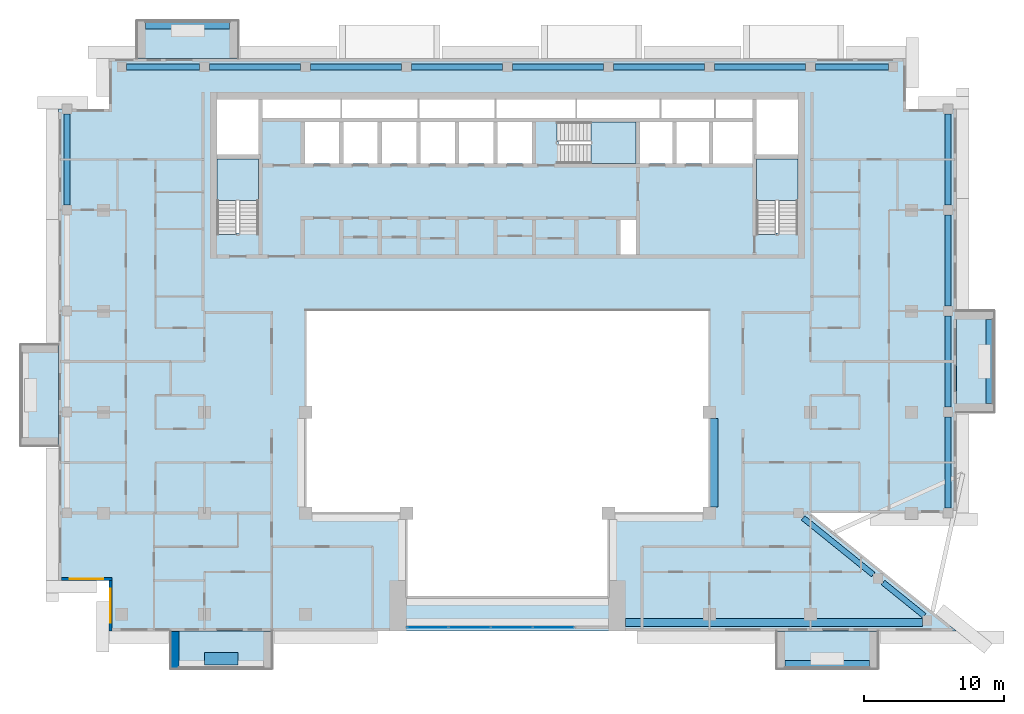
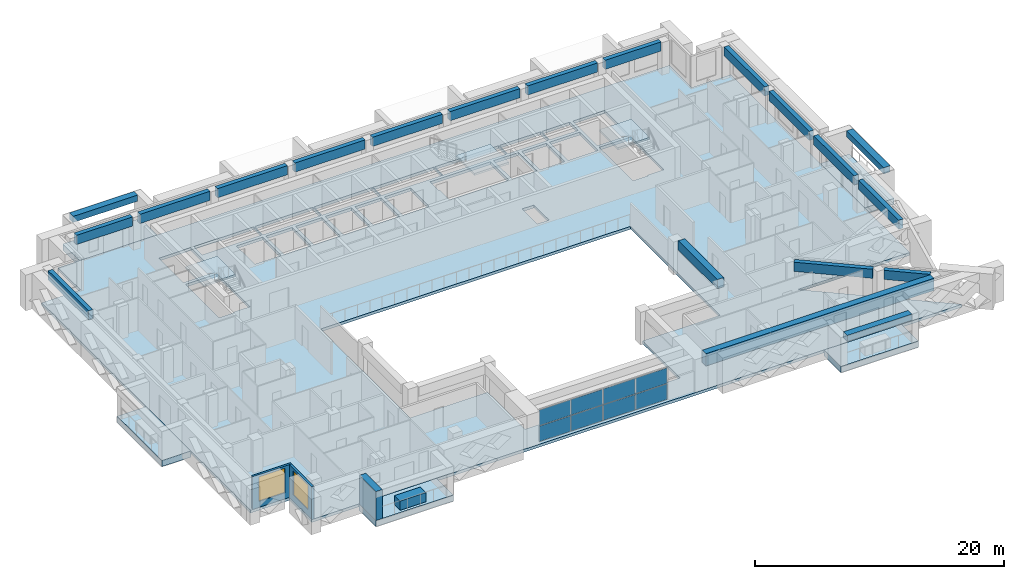
# One storey, part 5 of 19: 20 beams, 9 slabs, 8 plates, 4 walls, 2 windows, 2 openings, 4 elements without a shape of their own.
"""IFC4 building model written with IfcOpenShell, lengths in metres."""

from ifc_helpers import new_model, si_unit, direction, frame, frame_2d, origin, origin_2d, place, context, subcontext, project, spatial, polyline, rectangle, outline, extrude, source, transform, mapped, material, layer, layer_set, material_profile, profile_set, type_object, element, fill, aggregate, save


model = new_model("IFC4")

# Units and contexts
model_context = context("Model", 3, precision=1e-05, world=origin(), true_north=direction((0.0, 1.0)))
body_context = subcontext(model_context, "Body", "Model", "MODEL_VIEW")
ifc_project = project(units=[si_unit("LENGTHUNIT", "METRE"), si_unit("AREAUNIT", "SQUARE_METRE"), si_unit("VOLUMEUNIT", "CUBIC_METRE"), si_unit("PLANEANGLEUNIT", "RADIAN"), si_unit("MASSUNIT", "GRAM", prefix="KILO")], contexts=[model_context])

# Site, building, storey
site_placement = place(None, origin())
site = spatial("IfcSite", under=ifc_project, at=site_placement, CompositionType="ELEMENT")
building_placement = place(site_placement, origin())
building = spatial("IfcBuilding", under=site, at=building_placement, Name="Saffron Iwan Residences", CompositionType="ELEMENT")
storey_placement = place(building_placement, frame((0.0, 0.0, 218.5)))
storey = spatial("IfcBuildingStorey", under=building, at=storey_placement, Name="L58", CompositionType="ELEMENT", Elevation=218.5)

# Beams
ifc_material_1 = material(Name="Concrete C40/50", Category="concrete")
ifc_material_profile_1 = material_profile(ifc_material_1, rectangle(XDim=0.39990234375, YDim=0.89990234375, at=origin_2d()), Name="RC 400x900")
ifc_profile_set_1 = profile_set([ifc_material_profile_1], Name="Concrete C40/50")
beam_type_1 = type_object("IfcBeamType", Name="SPANDREL BEAM RC 400x900 C40/50 TOP 3220", PredefinedType="SPANDREL", material=ifc_profile_set_1)
shared_shape_1 = source(origin(), body_context, "Body", "SweptSolid", [
    extrude(rectangle(XDim=0.39990234375, YDim=0.89990234375, at=origin_2d()), origin(), (0.0, 0.0, 1.0), 3.767578125),
])
beam_1_placement = place(storey_placement, frame((77.173095703125, 43.050537109375, 2.77001953125), z_axis=(0.777920469401, -0.62836274817, 0.0), x_axis=(0.62836274817, 0.777920469401, 0.0)))
element("IfcBeam", 1, at=beam_1_placement, inside=storey, type_object=beam_type_1, Name="Spandrel beam", PredefinedType="SPANDREL", context=body_context, shape_type="MappedRepresentation", body=[
    mapped(shared_shape_1, transform((0.0, 0.0, 0.0))),
])
shared_shape_2 = source(origin(), body_context, "Body", "SweptSolid", [
    extrude(rectangle(XDim=0.39990234375, YDim=0.89990234375, at=origin_2d()), origin(), (0.0, 0.0, 1.0), 6.419921875),
])
beam_2_placement = place(storey_placement, frame((71.478515625, 47.64990234375, 2.77001953125), z_axis=(0.777940465262, -0.628337992253, 0.0), x_axis=(0.628337992253, 0.777940465262, 0.0)))
element("IfcBeam", 2, at=beam_2_placement, inside=storey, type_object=beam_type_1, Name="Spandrel beam", PredefinedType="SPANDREL", context=body_context, shape_type="MappedRepresentation", body=[
    mapped(shared_shape_2, transform((0.0, 0.0, 0.0))),
])
shared_shape_3 = source(origin(), body_context, "Body", "SweptSolid", [
    extrude(rectangle(XDim=0.39990234375, YDim=0.89990234375, at=origin_2d()), origin(), (0.0, 0.0, 1.0), 6.5),
])
for number, where, z_axis, x_axis, name in (
    (3, (81.800048828125, 54.85009765625, 2.77001953125), (0.0, -1.0, 0.0), (1.0, 0.0, 0.0), "Spandrel beam"),
    (4, (81.800048828125, 62.050048828125, 2.77001953125), (0.0, -1.0, 0.0), (1.0, 0.0, 0.0), "Spandrel beam"),
    (5, (81.800048828125, 69.25, 2.77001953125), (0.0, -1.0, 0.0), (1.0, 0.0, 0.0), "Spandrel beam"),
    (6, (19.0, 69.949951171875, 2.77001953125), (0.0, 1.0, 0.0), (-1.0, 0.0, 0.0), "Spandrel beam"),
    (7, (81.800048828125, 76.449951171875, 2.77001953125), (0.0, -1.0, 0.0), (1.0, 0.0, 0.0), "Spandrel beam"),
    (8, (29.14990234375, 79.800048828125, 2.77001953125), (1.0, 0.0, 0.0), (0.0, 1.0, 0.0), "Spandrel beam"),
    (9, (36.35009765625, 79.800048828125, 2.77001953125), (1.0, 0.0, 0.0), (0.0, 1.0, 0.0), "Spandrel beam"),
    (10, (43.550048828125, 79.800048828125, 2.77001953125), (1.0, 0.0, 0.0), (0.0, 1.0, 0.0), "Spandrel beam"),
    (11, (50.75, 79.800048828125, 2.77001953125), (1.0, 0.0, 0.0), (0.0, 1.0, 0.0), "Spandrel beam"),
    (12, (57.949951171875, 79.800048828125, 2.77001953125), (1.0, 0.0, 0.0), (0.0, 1.0, 0.0), "Spandrel beam"),
    (13, (65.14990234375, 79.800048828125, 2.77001953125), (1.0, 0.0, 0.0), (0.0, 1.0, 0.0), "Spandrel beam"),
):
    element("IfcBeam", number, at=place(storey_placement, frame(where, z_axis=z_axis, x_axis=x_axis)), inside=storey, type_object=beam_type_1, Name=name, PredefinedType="SPANDREL", context=body_context, shape_type="MappedRepresentation", body=[
        mapped(shared_shape_3, transform((0.0, 0.0, 0.0))),
    ])
shared_shape_4 = source(origin(), body_context, "Body", "SweptSolid", [
    extrude(rectangle(XDim=0.39990234375, YDim=0.89990234375, at=origin_2d()), origin(), (0.0, 0.0, 1.0), 5.199951171875),
])
for number, where, z_axis, x_axis, name in (
    (14, (23.25, 79.800048828125, 2.77001953125), (1.0, 0.0, 0.0), (0.0, 1.0, 0.0), "Spandrel beam"),
    (15, (72.35009765625, 79.800048828125, 2.77001953125), (1.0, 0.0, 0.0), (0.0, 1.0, 0.0), "Spandrel beam"),
):
    element("IfcBeam", number, at=place(storey_placement, frame(where, z_axis=z_axis, x_axis=x_axis)), inside=storey, type_object=beam_type_1, Name=name, PredefinedType="SPANDREL", context=body_context, shape_type="MappedRepresentation", body=[
        mapped(shared_shape_4, transform((0.0, 0.0, 0.0))),
    ])
ifc_material_profile_2 = material_profile(ifc_material_1, rectangle(XDim=0.60009765625, YDim=1.199951171875, at=origin_2d()), Name="RC 600x1200")
ifc_profile_set_2 = profile_set([ifc_material_profile_2], Name="Concrete C40/50")
beam_type_2 = type_object("IfcBeamType", Name="LINTEL BEAM RC 600x1200 C40/50 TOP 3220", PredefinedType="LINTEL", material=ifc_profile_set_2)
shared_shape_5 = source(origin(), body_context, "Body", "SweptSolid", [
    extrude(rectangle(XDim=0.60009765625, YDim=1.199951171875, at=origin_2d()), origin(), (0.0, 0.0, 1.0), 21.175537109375),
])
beam_3_placement = place(storey_placement, frame((79.9755859375, 40.199951171875, 2.6201171875), z_axis=(-1.0, 0.0, 0.0), x_axis=(0.0, -1.0, 0.0)))
element("IfcBeam", 16, at=beam_3_placement, inside=storey, type_object=beam_type_2, Name="Lintel beam over the iwan", PredefinedType="LINTEL", context=body_context, shape_type="MappedRepresentation", body=[
    mapped(shared_shape_5, transform((0.0, 0.0, 0.0))),
])
ifc_material_profile_3 = material_profile(ifc_material_1, rectangle(XDim=0.60009765625, YDim=0.89990234375, at=origin_2d()), Name="RC 600x900")
ifc_profile_set_3 = profile_set([ifc_material_profile_3], Name="Concrete C40/50")
beam_type_3 = type_object("IfcBeamType", Name="BEAM RC 600x900 C40/50 TOP 3220", PredefinedType="BEAM", material=ifc_profile_set_3)
shared_shape_6 = source(origin(), body_context, "Body", "SweptSolid", [
    extrude(rectangle(XDim=0.60009765625, YDim=0.89990234375, at=origin_2d()), origin(), (0.0, 0.0, 1.0), 6.300048828125),
])
beam_4_placement = place(storey_placement, frame((65.10009765625, 54.75, 2.77001953125), z_axis=(0.0, -1.0, 0.0), x_axis=(1.0, 0.0, 0.0)))
element("IfcBeam", 17, at=beam_4_placement, inside=storey, type_object=beam_type_3, Name="Atrium edge beam", PredefinedType="BEAM", context=body_context, shape_type="MappedRepresentation", body=[
    mapped(shared_shape_6, transform((0.0, 0.0, 0.0))),
])
ifc_material_2 = material(Name="Concrete C50/60 white painted", Category="concrete")
ifc_material_profile_4 = material_profile(ifc_material_2, rectangle(XDim=0.60009765625, YDim=0.60009765625, at=origin_2d()), Name="BALCONY FASCIA BEAM 600 x 600")
ifc_profile_set_4 = profile_set([ifc_material_profile_4], Name="Concrete C50/60 white painted")
beam_type_4 = type_object("IfcBeamType", Name="BALCONY FASCIA BEAM 600 x 600", PredefinedType="BEAM", material=ifc_profile_set_4)
shared_shape_7 = source(origin(), body_context, "Body", "SweptSolid", [
    extrude(rectangle(XDim=0.60009765625, YDim=0.60009765625, at=origin_2d()), origin(), (0.0, 0.0, 1.0), 6.0),
])
for number, where, z_axis, x_axis, name in (
    (18, (84.800048828125, 55.800048828125, 2.550048828125), (0.0, 1.0, 0.0), (-1.0, 0.0, 0.0), "Balcony fascia beam L58 F2-0"),
    (19, (30.60009765625, 82.800048828125, 2.550048828125), (-1.0, 0.0, 0.0), (0.0, -1.0, 0.0), "Balcony fascia beam L58 F5-3"),
    (20, (70.199951171875, 37.199951171875, 2.550048828125), (1.0, 0.0, 0.0), (0.0, 1.0, 0.0), "Balcony fascia beam L58 11-1"),
):
    element("IfcBeam", number, at=place(storey_placement, frame(where, z_axis=z_axis, x_axis=x_axis)), inside=storey, type_object=beam_type_4, Name=name, PredefinedType="BEAM", context=body_context, shape_type="MappedRepresentation", body=[
        mapped(shared_shape_7, transform((0.0, 0.0, 0.0))),
    ])

# Slabs
ifc_layer_1 = layer(ifc_material_2, 0.60009765625)
ifc_layer_set_1 = layer_set([ifc_layer_1], Name="Concrete C50/60 white painted")
slab_type_1 = type_object("IfcSlabType", Name="BALCONY FRAME SLAB 600", PredefinedType="FLOOR", material=ifc_layer_set_1)
slab_1_placement = place(storey_placement, frame((0.0, 0.0, -0.60009765625)))
element("IfcSlab", 21, at=slab_1_placement, inside=storey, type_object=slab_type_1, Name="Balcony frame slab L58 F2-0", PredefinedType="FLOOR", context=body_context, shape_type="SweptSolid", body=[
    extrude(outline(polyline([(85.10009765625, 55.199951171875), (85.10009765625, 62.39990234375), (82.39990234375, 62.39990234375), (82.39990234375, 55.199951171875), (85.10009765625, 55.199951171875)])), origin(), (0.0, 0.0, 1.0), 0.60009765625),
])
slab_2_placement = place(storey_placement, frame((0.0, 0.0, -0.60009765625)))
element("IfcSlab", 22, at=slab_2_placement, inside=storey, type_object=slab_type_1, Name="Balcony frame slab L58 F5-3", PredefinedType="FLOOR", context=body_context, shape_type="SweptSolid", body=[
    extrude(outline(polyline([(31.199951171875, 83.10009765625), (24.0, 83.10009765625), (24.0, 80.39990234375), (31.199951171875, 80.39990234375), (31.199951171875, 83.10009765625)])), origin(), (0.0, 0.0, 1.0), 0.60009765625),
])
slab_3_placement = place(storey_placement, frame((0.0, 0.0, -0.60009765625)))
element("IfcSlab", 23, at=slab_3_placement, inside=storey, type_object=slab_type_1, Name="Balcony frame slab L58 F8-1", PredefinedType="FLOOR", context=body_context, shape_type="SweptSolid", body=[
    extrude(outline(polyline([(15.699951171875, 60.0), (15.699951171875, 52.800048828125), (18.39990234375, 52.800048828125), (18.39990234375, 60.0), (15.699951171875, 60.0)])), origin(), (0.0, 0.0, 1.0), 0.60009765625),
])
slab_4_placement = place(storey_placement, frame((0.0, 0.0, -0.60009765625)))
element("IfcSlab", 24, at=slab_4_placement, inside=storey, type_object=slab_type_1, Name="Balcony frame slab L58 11-0", PredefinedType="FLOOR", context=body_context, shape_type="SweptSolid", body=[
    extrude(outline(polyline([(26.39990234375, 36.89990234375), (33.60009765625, 36.89990234375), (33.60009765625, 39.60009765625), (26.39990234375, 39.60009765625), (26.39990234375, 36.89990234375)])), origin(), (0.0, 0.0, 1.0), 0.60009765625),
])
slab_5_placement = place(storey_placement, frame((0.0, 0.0, -0.60009765625)))
element("IfcSlab", 25, at=slab_5_placement, inside=storey, type_object=slab_type_1, Name="Balcony frame slab L58 11-1", PredefinedType="FLOOR", context=body_context, shape_type="SweptSolid", body=[
    extrude(outline(polyline([(69.60009765625, 36.89990234375), (76.800048828125, 36.89990234375), (76.800048828125, 39.60009765625), (69.60009765625, 39.60009765625), (69.60009765625, 36.89990234375)])), origin(), (0.0, 0.0, 1.0), 0.60009765625),
])
ifc_layer_2 = layer(ifc_material_1, 0.280029296875)
ifc_layer_set_2 = layer_set([ifc_layer_2], Name="Concrete C40/50")
slab_type_2 = type_object("IfcSlabType", Name="PT PLATE 280 C40/50", PredefinedType="FLOOR", material=ifc_layer_set_2)
slab_6_placement = place(storey_placement, frame((0.0, 0.0, -0.280029296875)))
element("IfcSlab", 26, at=slab_6_placement, inside=storey, type_object=slab_type_2, Name="Floor slab L58", PredefinedType="FLOOR", context=body_context, shape_type="SweptSolid", body=[
    extrude(outline(polyline([(18.39990234375, 43.199951171875), (18.39990234375, 76.800048828125), (22.0, 76.800048828125), (22.0, 80.39990234375), (78.800048828125, 80.39990234375), (78.800048828125, 76.800048828125), (82.39990234375, 76.800048828125), (82.39990234375, 48.0), (72.0, 48.0), (82.39990234375, 39.60009765625), (22.0, 39.60009765625), (22.0, 43.199951171875), (18.39990234375, 43.199951171875)]), holes=[polyline([(64.800048828125, 48.0), (64.800048828125, 62.39990234375), (36.0, 62.39990234375), (36.0, 48.0), (43.199951171875, 48.0), (43.199951171875, 42.0), (57.60009765625, 42.0), (57.60009765625, 48.0), (64.800048828125, 48.0)]), polyline([(29.699951171875, 73.25), (29.699951171875, 67.949951171875), (29.699951171875, 67.8505859375), (31.10009765625, 67.8505859375), (31.10009765625, 67.949951171875), (32.64990234375, 67.949951171875), (32.64990234375, 73.25), (29.699951171875, 73.25)]), polyline([(38.39990234375, 75.875), (35.949951171875, 75.875), (35.949951171875, 72.925048828125), (38.39990234375, 72.925048828125), (38.39990234375, 75.875)]), polyline([(41.14990234375, 75.875), (38.699951171875, 75.875), (38.699951171875, 72.925048828125), (41.14990234375, 72.925048828125), (41.14990234375, 75.875)]), polyline([(43.89990234375, 72.925048828125), (43.89990234375, 75.875), (41.449951171875, 75.875), (41.449951171875, 72.925048828125), (43.89990234375, 72.925048828125)]), polyline([(46.64990234375, 72.925048828125), (46.64990234375, 75.875), (44.199951171875, 75.875), (44.199951171875, 72.925048828125), (46.64990234375, 72.925048828125)]), polyline([(49.39990234375, 75.875), (46.949951171875, 75.875), (46.949951171875, 72.925048828125), (49.39990234375, 72.925048828125), (49.39990234375, 75.875)]), polyline([(52.14990234375, 72.925048828125), (52.14990234375, 75.875), (49.699951171875, 75.875), (49.699951171875, 72.925048828125), (52.14990234375, 72.925048828125)]), polyline([(32.64990234375, 73.550048828125), (32.64990234375, 77.5), (29.699951171875, 77.5), (29.699951171875, 73.550048828125), (32.64990234375, 73.550048828125)]), polyline([(38.5, 77.5), (32.949951171875, 77.5), (32.949951171875, 76.175048828125), (38.5, 76.175048828125), (38.5, 77.5)]), polyline([(44.0, 76.175048828125), (44.0, 77.5), (38.60009765625, 77.5), (38.60009765625, 76.175048828125), (44.0, 76.175048828125)]), polyline([(49.5, 76.175048828125), (49.5, 77.5), (44.10009765625, 77.5), (44.10009765625, 76.175048828125), (49.5, 76.175048828125)]), polyline([(59.550048828125, 68.875), (58.449951171875, 68.875), (58.449951171875, 66.449951171875), (59.550048828125, 66.449951171875), (59.550048828125, 68.875)]), polyline([(68.14990234375, 73.25), (68.14990234375, 67.949951171875), (68.14990234375, 67.8505859375), (69.550048828125, 67.8505859375), (69.550048828125, 67.949951171875), (71.10009765625, 67.949951171875), (71.10009765625, 73.25), (68.14990234375, 73.25)]), polyline([(54.02490234375, 74.47509765625), (54.02490234375, 72.925048828125), (59.550048828125, 72.925048828125), (59.550048828125, 75.875), (54.02490234375, 75.875), (53.925537109375, 75.875), (53.925537109375, 74.47509765625), (54.02490234375, 74.47509765625)]), polyline([(62.14990234375, 72.925048828125), (62.14990234375, 75.875), (59.85009765625, 75.875), (59.85009765625, 72.925048828125), (62.14990234375, 72.925048828125)]), polyline([(64.75, 72.925048828125), (64.75, 75.875), (62.449951171875, 75.875), (62.449951171875, 72.925048828125), (64.75, 72.925048828125)]), polyline([(67.85009765625, 75.875), (65.050048828125, 75.875), (65.050048828125, 72.925048828125), (67.85009765625, 72.925048828125), (67.85009765625, 75.875)]), polyline([(71.10009765625, 73.550048828125), (71.10009765625, 77.5), (68.14990234375, 77.5), (68.14990234375, 73.550048828125), (71.10009765625, 73.550048828125)]), polyline([(55.25, 76.175048828125), (55.25, 77.5), (49.60009765625, 77.5), (49.60009765625, 76.175048828125), (55.25, 76.175048828125)]), polyline([(61.25, 77.5), (55.35009765625, 77.5), (55.35009765625, 76.175048828125), (61.25, 76.175048828125), (61.25, 77.5)]), polyline([(65.14990234375, 76.175048828125), (65.14990234375, 77.5), (61.35009765625, 77.5), (61.35009765625, 76.175048828125), (65.14990234375, 76.175048828125)]), polyline([(67.85009765625, 76.175048828125), (67.85009765625, 77.5), (65.25, 77.5), (65.25, 76.175048828125), (67.85009765625, 76.175048828125)])]), origin(), (0.0, 0.0, 1.0), 0.280029296875),
])

# Stair, slab
ifc_material_3 = material(Name="Concrete C50/60", Category="concrete")
stair_type = type_object("IfcStairType", Name="Stair ST-CORE", PredefinedType="HALF_TURN_STAIR", material=ifc_material_3)
stair_1_placement = place(storey_placement, origin())
stair_1 = element("IfcStair", 27, at=stair_1_placement, inside=storey, type_object=stair_type, Name="L58 Exit Stair ST-W", PredefinedType="HALF_TURN_STAIR")
ifc_layer_3 = layer(ifc_material_3, 0.199951171875)
ifc_layer_set_3 = layer_set([ifc_layer_3], Name="Concrete C50/60")
slab_type_3 = type_object("IfcSlabType", Name="Stair landing SL-RC", PredefinedType="LANDING", material=ifc_layer_set_3)
slab_7_placement = place(storey_placement, frame((0.0, 0.0, 1.5498046875)))
slab_7 = element("IfcSlab", 28, at=slab_7_placement, type_object=slab_type_3, Name="ST-W landing 1", PredefinedType="LANDING", context=body_context, shape_type="SweptSolid", body=[
    extrude(outline(polyline([(32.64990234375, 70.280029296875), (32.64990234375, 73.25), (29.699951171875, 73.25), (29.699951171875, 70.280029296875), (32.64990234375, 70.280029296875)])), origin(), (0.0, 0.0, 1.0), 0.2001953125),
])
aggregate(stair_1, [slab_7])

stair_2_placement = place(storey_placement, origin())
stair_2 = element("IfcStair", 29, at=stair_2_placement, inside=storey, type_object=stair_type, Name="L58 Exit Stair ST-C", PredefinedType="HALF_TURN_STAIR")
slab_8_placement = place(storey_placement, frame((0.0, 0.0, 1.5498046875)))
slab_8 = element("IfcSlab", 30, at=slab_8_placement, type_object=slab_type_3, Name="ST-C landing 1", PredefinedType="LANDING", context=body_context, shape_type="SweptSolid", body=[
    extrude(outline(polyline([(56.35498046875, 72.925048828125), (59.550048828125, 72.925048828125), (59.550048828125, 75.875), (56.35498046875, 75.875), (56.35498046875, 72.925048828125)])), origin(), (0.0, 0.0, 1.0), 0.2001953125),
])
aggregate(stair_2, [slab_8])

stair_3_placement = place(storey_placement, origin())
stair_3 = element("IfcStair", 31, at=stair_3_placement, inside=storey, type_object=stair_type, Name="L58 Exit Stair ST-E", PredefinedType="HALF_TURN_STAIR")
slab_9_placement = place(storey_placement, frame((0.0, 0.0, 1.5498046875)))
slab_9 = element("IfcSlab", 32, at=slab_9_placement, type_object=slab_type_3, Name="ST-E landing 1", PredefinedType="LANDING", context=body_context, shape_type="SweptSolid", body=[
    extrude(outline(polyline([(71.10009765625, 70.280029296875), (71.10009765625, 73.25), (68.14990234375, 73.25), (68.14990234375, 70.280029296875), (71.10009765625, 70.280029296875)])), origin(), (0.0, 0.0, 1.0), 0.2001953125),
])
aggregate(stair_3, [slab_9])

# Curtain wall, plates
ifc_material_4 = material(Name="Clear glass, laminated double glazed", Category="glass")
ifc_layer_4 = layer(ifc_material_4, 0.199951171875)
ifc_layer_set_4 = layer_set([ifc_layer_4], Name="Clear glass, laminated double glazed")
curtain_wall_type = type_object("IfcCurtainWallType", Name="CW-B IWAN PORTAL", PredefinedType="NOTDEFINED", material=ifc_layer_set_4)
curtain_wall_placement = place(storey_placement, origin())
curtain_wall = element("IfcCurtainWall", 33, at=curtain_wall_placement, inside=storey, type_object=curtain_wall_type, Name="Iwan portal glazing L58.1", PredefinedType="NOTDEFINED")
ifc_layer_5 = layer(ifc_material_4, 0.028076171875)
ifc_layer_set_5 = layer_set([ifc_layer_5], Name="Clear glass, laminated double glazed")
plate_type = type_object("IfcPlateType", Name="CW-B PANEL 28", PredefinedType="CURTAIN_PANEL", material=ifc_layer_set_5)
shared_shape_8 = source(origin(), body_context, "Body", "SweptSolid", [
    extrude(rectangle(XDim=2.909912109375, YDim=0.028076171875, at=origin_2d()), origin(), (0.0, 0.0, 1.0), 1.52001953125),
])
plate_1_placement = place(storey_placement, frame((44.715087890625, 39.85009765625, 0.06005859375), z_axis=(0.0, 0.0, 1.0), x_axis=(1.0, 0.0, 0.0)))
plate_1 = element("IfcPlate", 34, at=plate_1_placement, type_object=plate_type, Name="CW-B panel 1.1", PredefinedType="CURTAIN_PANEL", context=body_context, shape_type="MappedRepresentation", body=[
    mapped(shared_shape_8, transform((0.0, 0.0, 0.0))),
])
plate_2_placement = place(storey_placement, frame((44.715087890625, 39.85009765625, 1.639892578125), z_axis=(0.0, 0.0, 1.0), x_axis=(1.0, 0.0, 0.0)))
plate_2 = element("IfcPlate", 35, at=plate_2_placement, type_object=plate_type, Name="CW-B panel 1.2", PredefinedType="CURTAIN_PANEL", context=body_context, shape_type="MappedRepresentation", body=[
    mapped(shared_shape_8, transform((0.0, 0.0, 0.0))),
])
plate_3_placement = place(storey_placement, frame((53.68505859375, 39.85009765625, 0.06005859375), z_axis=(0.0, 0.0, 1.0), x_axis=(1.0, 0.0, 0.0)))
plate_3 = element("IfcPlate", 36, at=plate_3_placement, type_object=plate_type, Name="CW-B panel 4.1", PredefinedType="CURTAIN_PANEL", context=body_context, shape_type="MappedRepresentation", body=[
    mapped(shared_shape_8, transform((0.0, 0.0, 0.0))),
])
plate_4_placement = place(storey_placement, frame((53.68505859375, 39.85009765625, 1.639892578125), z_axis=(0.0, 0.0, 1.0), x_axis=(1.0, 0.0, 0.0)))
plate_4 = element("IfcPlate", 37, at=plate_4_placement, type_object=plate_type, Name="CW-B panel 4.2", PredefinedType="CURTAIN_PANEL", context=body_context, shape_type="MappedRepresentation", body=[
    mapped(shared_shape_8, transform((0.0, 0.0, 0.0))),
])
shared_shape_9 = source(origin(), body_context, "Body", "SweptSolid", [
    extrude(rectangle(XDim=2.93994140625, YDim=0.028076171875, at=origin_2d()), origin(), (0.0, 0.0, 1.0), 1.52001953125),
])
plate_5_placement = place(storey_placement, frame((47.699951171875, 39.85009765625, 0.06005859375), z_axis=(0.0, 0.0, 1.0), x_axis=(1.0, 0.0, 0.0)))
plate_5 = element("IfcPlate", 38, at=plate_5_placement, type_object=plate_type, Name="CW-B panel 2.1", PredefinedType="CURTAIN_PANEL", context=body_context, shape_type="MappedRepresentation", body=[
    mapped(shared_shape_9, transform((0.0, 0.0, 0.0))),
])
plate_6_placement = place(storey_placement, frame((47.699951171875, 39.85009765625, 1.639892578125), z_axis=(0.0, 0.0, 1.0), x_axis=(1.0, 0.0, 0.0)))
plate_6 = element("IfcPlate", 39, at=plate_6_placement, type_object=plate_type, Name="CW-B panel 2.2", PredefinedType="CURTAIN_PANEL", context=body_context, shape_type="MappedRepresentation", body=[
    mapped(shared_shape_9, transform((0.0, 0.0, 0.0))),
])
plate_7_placement = place(storey_placement, frame((50.699951171875, 39.85009765625, 0.06005859375), z_axis=(0.0, 0.0, 1.0), x_axis=(1.0, 0.0, 0.0)))
plate_7 = element("IfcPlate", 40, at=plate_7_placement, type_object=plate_type, Name="CW-B panel 3.1", PredefinedType="CURTAIN_PANEL", context=body_context, shape_type="MappedRepresentation", body=[
    mapped(shared_shape_9, transform((0.0, 0.0, 0.0))),
])
plate_8_placement = place(storey_placement, frame((50.699951171875, 39.85009765625, 1.639892578125), z_axis=(0.0, 0.0, 1.0), x_axis=(1.0, 0.0, 0.0)))
plate_8 = element("IfcPlate", 41, at=plate_8_placement, type_object=plate_type, Name="CW-B panel 3.2", PredefinedType="CURTAIN_PANEL", context=body_context, shape_type="MappedRepresentation", body=[
    mapped(shared_shape_9, transform((0.0, 0.0, 0.0))),
])
aggregate(curtain_wall, [plate_1, plate_2, plate_5, plate_6, plate_7, plate_8, plate_3, plate_4])

# Walls
ifc_layer_6 = layer(ifc_material_2, 0.60009765625)
ifc_layer_set_6 = layer_set([ifc_layer_6], Name="Concrete C50/60 white painted")
wall_type_1 = type_object("IfcWallType", Name="BALCONY FIN 600", PredefinedType="SOLIDWALL", material=ifc_layer_set_6)
wall_1_placement = place(storey_placement, frame((26.699951171875, 39.550048828125, 0.0), z_axis=(0.0, 0.0, 1.0), x_axis=(0.0, -1.0, 0.0)))
element("IfcWall", 42, at=wall_1_placement, inside=storey, type_object=wall_type_1, Name="Balcony fin L58 11-0a", PredefinedType="SOLIDWALL", context=body_context, shape_type="SweptSolid", body=[
    extrude(rectangle(XDim=2.650146484375, YDim=0.60009765625, at=frame_2d((1.3251953125, 0.0))), origin(), (0.0, 0.0, 1.0), 2.85009765625),
])
ifc_material_5 = material(Name="Concrete C35/45 white painted", Category="concrete")
ifc_layer_7 = layer(ifc_material_5, 0.14990234375)
ifc_layer_set_7 = layer_set([ifc_layer_7], Name="Concrete C35/45 white painted")
wall_type_2 = type_object("IfcWallType", Name="BALCONY PLANTER", PredefinedType="SOLIDWALL", material=ifc_layer_set_7)
wall_2_placement = place(storey_placement, frame((28.800048828125, 37.625, 0.0), z_axis=(0.0, 0.0, 1.0), x_axis=(1.0, 0.0, 0.0)))
element("IfcWall", 43, at=wall_2_placement, inside=storey, type_object=wall_type_2, Name="PLANTER L58 11-0", PredefinedType="SOLIDWALL", context=body_context, shape_type="SweptSolid", body=[
    extrude(rectangle(XDim=2.39990234375, YDim=0.89990234375, at=frame_2d((1.199951171875, 0.0))), origin(), (0.0, 0.0, 1.0), 0.89990234375),
])

# Wall, opening, window
ifc_layer_8 = layer(ifc_material_1, 0.199951171875)
ifc_layer_set_8 = layer_set([ifc_layer_8], Name="Concrete C40/50")
wall_type_3 = type_object("IfcWallType", Name="EXTERNAL WALL 200", PredefinedType="SOLIDWALL", material=ifc_layer_set_8)
wall_3_placement = place(storey_placement, frame((18.60009765625, 43.300048828125, 0.0), z_axis=(0.0, 0.0, 1.0), x_axis=(1.0, 0.0, 0.0)))
wall_3 = element("IfcWall", 44, at=wall_3_placement, inside=storey, type_object=wall_type_3, Name="External wall L58 F9.0", PredefinedType="SOLIDWALL", context=body_context, shape_type="SweptSolid", body=[
    extrude(rectangle(XDim=3.599853515625, YDim=0.199951171875, at=frame_2d((1.7998046875, 0.0))), origin(), (0.0, 0.0, 1.0), 3.219970703125),
])
opening_1_placement = place(wall_3_placement, frame((0.60009765625, 0.0, 0.60009765625)))
opening_1 = element("IfcOpeningElement", 45, at=opening_1_placement, cuts=wall_3, Name="Opening W1", PredefinedType="OPENING", context=body_context, shape_type="SweptSolid", body=[
    extrude(rectangle(XDim=2.39990234375, YDim=2.39990234375, at=frame_2d((1.199951171875, 1.199951171875))), frame((0.0, 0.10986328125, 0.0), z_axis=(0.0, -1.0, 0.0), x_axis=(1.0, 0.0, 0.0)), (0.0, 0.0, 1.0), 0.219970703125),
])
window_type = type_object("IfcWindowType", Name="WINDOW 2400 x 2400", PartitioningType="DOUBLE_PANEL_VERTICAL", PredefinedType="WINDOW", material=ifc_material_4)
window_1_placement = place(opening_1_placement, origin())
window_1 = element("IfcWindow", 46, at=window_1_placement, inside=storey, type_object=window_type, Name="Window L58 F9.0", OverallHeight=2.39990234375, OverallWidth=2.39990234375, PartitioningType="DOUBLE_PANEL_VERTICAL", PredefinedType="WINDOW", context=body_context, shape_type="SweptSolid", body=[
    extrude(rectangle(XDim=2.39990234375, YDim=2.39990234375, at=frame_2d((1.199951171875, 1.199951171875))), frame((0.0, 0.030029296875, 0.0), z_axis=(0.0, -1.0, 0.0), x_axis=(1.0, 0.0, 0.0)), (0.0, 0.0, 1.0), 0.06005859375),
])
fill(opening_1, window_1)

wall_4_placement = place(storey_placement, frame((22.10009765625, 43.199951171875, 0.0), z_axis=(0.0, 0.0, 1.0), x_axis=(0.0, -1.0, 0.0)))
wall_4 = element("IfcWall", 47, at=wall_4_placement, inside=storey, type_object=wall_type_3, Name="External wall L58 F10.0", PredefinedType="SOLIDWALL", context=body_context, shape_type="SweptSolid", body=[
    extrude(rectangle(XDim=3.599853515625, YDim=0.199951171875, at=frame_2d((1.7998046875, 0.0))), origin(), (0.0, 0.0, 1.0), 3.219970703125),
])
opening_2_placement = place(wall_4_placement, frame((0.60009765625, 0.0, 0.60009765625)))
opening_2 = element("IfcOpeningElement", 48, at=opening_2_placement, cuts=wall_4, Name="Opening W1", PredefinedType="OPENING", context=body_context, shape_type="SweptSolid", body=[
    extrude(rectangle(XDim=2.39990234375, YDim=2.39990234375, at=frame_2d((1.199951171875, 1.199951171875))), frame((0.0, 0.10986328125, 0.0), z_axis=(0.0, -1.0, 0.0), x_axis=(1.0, 0.0, 0.0)), (0.0, 0.0, 1.0), 0.219970703125),
])
window_2_placement = place(opening_2_placement, origin())
window_2 = element("IfcWindow", 49, at=window_2_placement, inside=storey, type_object=window_type, Name="Window L58 F10.0", OverallHeight=2.39990234375, OverallWidth=2.39990234375, PartitioningType="DOUBLE_PANEL_VERTICAL", PredefinedType="WINDOW", context=body_context, shape_type="SweptSolid", body=[
    extrude(rectangle(XDim=2.39990234375, YDim=2.39990234375, at=frame_2d((1.199951171875, 1.199951171875))), frame((0.0, 0.030029296875, 0.0), z_axis=(0.0, -1.0, 0.0), x_axis=(1.0, 0.0, 0.0)), (0.0, 0.0, 1.0), 0.06005859375),
])
fill(opening_2, window_2)

save(model, "model.ifc")
